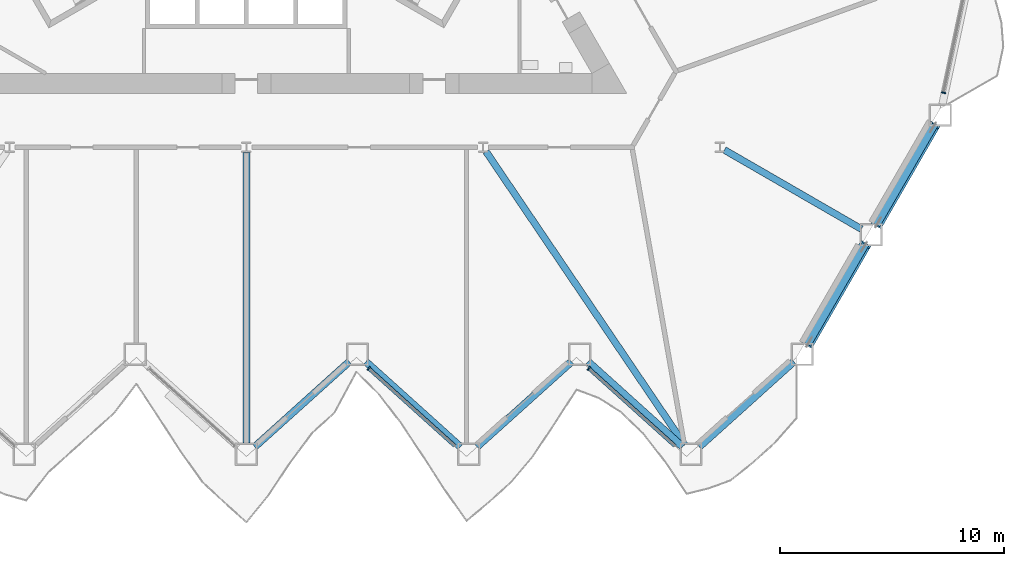
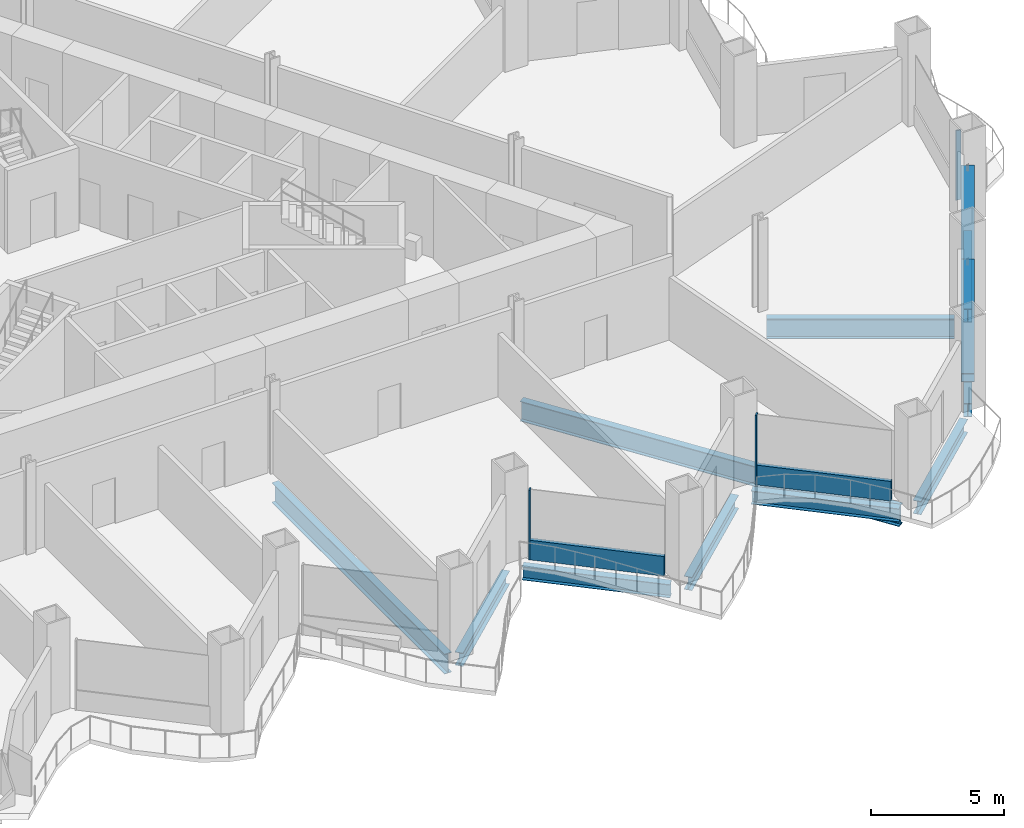
# One storey, part 4 of 21: 10 beams, 7 members, 3 elements without a shape of their own.
"""IFC4 building model written with IfcOpenShell, lengths in metres."""

from ifc_helpers import new_model, si_unit, direction, frame, origin, origin_2d, place, context, subcontext, project, spatial, rectangle, hollow_rectangle, i_section, extrude, material, layer, layer_set, material_profile, profile_set, type_object, element, aggregate, save


model = new_model("IFC4")

# Units and contexts
model_context = context("Model", 3, precision=1e-05, world=origin(), true_north=direction((0.0, 1.0)))
body_context = subcontext(model_context, "Body", "Model", "MODEL_VIEW")
ifc_project = project(units=[si_unit("LENGTHUNIT", "METRE"), si_unit("AREAUNIT", "SQUARE_METRE"), si_unit("VOLUMEUNIT", "CUBIC_METRE"), si_unit("PLANEANGLEUNIT", "RADIAN"), si_unit("MASSUNIT", "GRAM", prefix="KILO")], contexts=[model_context])

# Site, building, storey
site_placement = place(None, origin())
site = spatial("IfcSite", under=ifc_project, at=site_placement, CompositionType="ELEMENT")
building_placement = place(site_placement, origin())
building = spatial("IfcBuilding", under=site, at=building_placement, Name="Cormorant Prow Tower", CompositionType="ELEMENT")
storey_placement = place(building_placement, frame((0.0, 0.0, 72.0)))
storey = spatial("IfcBuildingStorey", under=building, at=storey_placement, Name="L15", CompositionType="ELEMENT", Elevation=72.0)

# Members
ifc_material_1 = material(Name="Structural steel ASTM A500 Gr C", Category="steel")
ifc_material_profile_1 = material_profile(ifc_material_1, hollow_rectangle(XDim=0.508056640625, YDim=0.508056640625, WallThickness=0.014892578125, at=origin_2d()), Name="HSS20x20x5/8")
ifc_profile_set_1 = profile_set([ifc_material_profile_1], Name="Structural steel ASTM A500 Gr C")
member_type_1 = type_object("IfcMemberType", Name="Chamfer brace HSS20x20x5/8", PredefinedType="BRACE", material=ifc_profile_set_1)
for number, where, z_axis, x_axis, name in (
    (1, (25.089599609375, -21.0107421875, 0.767333984375), (0.475899695849, 0.824255918841, 0.306792535351), (-0.866018434186, 0.500012071504, 0.0), "Chamfer brace BR1 at ESE00 L15"),
    (2, (28.174560546875, -15.667724609375, 0.767333984375), (0.475881936113, 0.824270433724, 0.306781086395), (-0.866030326616, 0.499991473309, 0.0), "Chamfer brace BR1 at ESE01 L15"),
):
    element("IfcMember", number, at=place(storey_placement, frame(where, z_axis=z_axis, x_axis=x_axis)), inside=storey, type_object=member_type_1, Name=name, PredefinedType="BRACE", context=body_context, shape_type="SweptSolid", body=[
        extrude(hollow_rectangle(XDim=0.508056640625, YDim=0.508056640625, WallThickness=0.014892578125, at=origin_2d()), origin(), (0.0, 0.0, 1.0), 5.392333984375),
    ])

# Curtain wall, member
ifc_material_2 = material(Name="Aluminium 6063-T6", Category="aluminium")
ifc_layer = layer(ifc_material_2, 0.199951171875)
ifc_layer_set = layer_set([ifc_layer], Name="Aluminium 6063-T6")
curtain_wall_type = type_object("IfcCurtainWallType", Name="Office unitised curtain wall 200", PredefinedType="NOTDEFINED", material=ifc_layer_set)
curtain_wall_1_placement = place(storey_placement, origin())
curtain_wall_1 = element("IfcCurtainWall", 3, at=curtain_wall_1_placement, inside=storey, type_object=curtain_wall_type, Name="Office curtain wall S06", PredefinedType="NOTDEFINED")
ifc_material_3 = material(Name="Aluminium 6063-T6", Category="aluminium")
ifc_material_profile_2 = material_profile(ifc_material_3, rectangle(XDim=0.199951171875, YDim=0.06005859375, at=origin_2d()), Name="Office mullion 60x200")
ifc_profile_set_2 = profile_set([ifc_material_profile_2], Name="Aluminium 6063-T6")
member_type_2 = type_object("IfcMemberType", Name="Office mullion 60x200", PredefinedType="MULLION", material=ifc_profile_set_2)
member_1_placement = place(storey_placement, frame((5.461669921875, -22.092041015625, 0.0), z_axis=(0.0, 0.0, 1.0), x_axis=(0.669130614945, 0.743144817746, 0.0)))
member_1 = element("IfcMember", 4, at=member_1_placement, type_object=member_type_2, Name="Office mullion S06", PredefinedType="MULLION", context=body_context, shape_type="SweptSolid", body=[
    extrude(rectangle(XDim=0.199951171875, YDim=0.06005859375, at=origin_2d()), origin(), (0.0, 0.0, 1.0), 3.18896484375),
])

curtain_wall_2_placement = place(storey_placement, origin())
curtain_wall_2 = element("IfcCurtainWall", 5, at=curtain_wall_2_placement, inside=storey, type_object=curtain_wall_type, Name="Office curtain wall S08", PredefinedType="NOTDEFINED")
member_2_placement = place(storey_placement, frame((15.2958984375, -22.092041015625, 0.0), z_axis=(0.0, 0.0, 1.0), x_axis=(0.669130614945, 0.743144817746, 0.0)))
member_2 = element("IfcMember", 6, at=member_2_placement, type_object=member_type_2, Name="Office mullion S08", PredefinedType="MULLION", context=body_context, shape_type="SweptSolid", body=[
    extrude(rectangle(XDim=0.199951171875, YDim=0.06005859375, at=origin_2d()), origin(), (0.0, 0.0, 1.0), 3.18896484375),
])

curtain_wall_3_placement = place(storey_placement, origin())
curtain_wall_3 = element("IfcCurtainWall", 7, at=curtain_wall_3_placement, inside=storey, type_object=curtain_wall_type, Name="Office curtain wall ENE00", PredefinedType="NOTDEFINED")
member_3_placement = place(storey_placement, frame((31.15234375, -9.773681640625, 0.0), z_axis=(0.0, 0.0, 1.0), x_axis=(-0.978147586919, 0.20791175581, 0.0)))
member_3 = element("IfcMember", 8, at=member_3_placement, type_object=member_type_2, Name="Office mullion ENE00", PredefinedType="MULLION", context=body_context, shape_type="SweptSolid", body=[
    extrude(rectangle(XDim=0.199951171875, YDim=0.06005859375, at=origin_2d()), origin(), (0.0, 0.0, 1.0), 3.18896484375),
])
aggregate(curtain_wall_3, [member_3])

# Member
ifc_material_4 = material(Name="Terracotta", Category="masonry")
ifc_material_profile_3 = material_profile(ifc_material_4, rectangle(XDim=0.159912109375, YDim=0.89990234375, at=origin_2d()), Name="Office terracotta spandrel rail 160x900")
ifc_profile_set_3 = profile_set([ifc_material_profile_3], Name="Terracotta")
member_type_3 = type_object("IfcMemberType", Name="Office terracotta spandrel rail 160x900", PredefinedType="USERDEFINED", material=ifc_profile_set_3)
member_4_placement = place(storey_placement, frame((5.484130859375, -22.112060546875, 0.449951171875), z_axis=(0.743136202967, -0.669140182502, 0.0), x_axis=(0.669140182502, 0.743136202967, 0.0)))
member_4 = element("IfcMember", 9, at=member_4_placement, type_object=member_type_3, Name="Office spandrel rail S06", ObjectType="TRANSOM", PredefinedType="USERDEFINED", context=body_context, shape_type="SweptSolid", body=[
    extrude(rectangle(XDim=0.159912109375, YDim=0.89990234375, at=origin_2d()), origin(), (0.0, 0.0, 1.0), 5.150390625),
])

aggregate(curtain_wall_1, [member_1, member_4])

member_5_placement = place(storey_placement, frame((15.318115234375, -22.112060546875, 0.449951171875), z_axis=(0.743157426454, -0.669116611291, 0.0), x_axis=(0.669116611291, 0.743157426454, 0.0)))
member_5 = element("IfcMember", 10, at=member_5_placement, type_object=member_type_3, Name="Office spandrel rail S08", ObjectType="TRANSOM", PredefinedType="USERDEFINED", context=body_context, shape_type="SweptSolid", body=[
    extrude(rectangle(XDim=0.159912109375, YDim=0.89990234375, at=origin_2d()), origin(), (0.0, 0.0, 1.0), 5.150390625),
])

aggregate(curtain_wall_2, [member_2, member_5])

# Beams
ifc_material_5 = material(Name="Structural steel ASTM A992 Gr 50", Category="steel")
ifc_material_profile_4 = material_profile(ifc_material_5, i_section(OverallWidth=0.3046875, OverallDepth=0.914794921875, WebThickness=0.0166015625, FlangeThickness=0.02587890625, at=origin_2d()), Name="W36x160")
ifc_profile_set_4 = profile_set([ifc_material_profile_4], Name="Structural steel ASTM A992 Gr 50")
beam_type_1 = type_object("IfcBeamType", Name="Radial floor beam W36x160", PredefinedType="BEAM", material=ifc_profile_set_4)
beam_1_placement = place(storey_placement, frame((0.0, -12.447265625, -0.857421875), z_axis=(0.0, -1.0, 0.0), x_axis=(1.0, 0.0, 0.0)))
element("IfcBeam", 11, at=beam_1_placement, inside=storey, type_object=beam_type_1, Name="Radial floor beam FB1 7 L15", PredefinedType="BEAM", context=body_context, shape_type="SweptSolid", body=[
    extrude(i_section(OverallWidth=0.3046875, OverallDepth=0.914794921875, WebThickness=0.0166015625, FlangeThickness=0.02587890625, at=origin_2d()), origin(), (0.0, 0.0, 1.0), 12.984130859375),
])
beam_2_placement = place(storey_placement, frame((10.708740234375, -12.4072265625, -0.857421875), z_axis=(0.560597160775, -0.828088656685, 0.0), x_axis=(0.828088656685, 0.560597160775, 0.0)))
element("IfcBeam", 12, at=beam_2_placement, inside=storey, type_object=beam_type_1, Name="Radial floor beam FB1 8 L15", PredefinedType="BEAM", context=body_context, shape_type="SweptSolid", body=[
    extrude(i_section(OverallWidth=0.3046875, OverallDepth=0.914794921875, WebThickness=0.0166015625, FlangeThickness=0.02587890625, at=origin_2d()), origin(), (0.0, 0.0, 1.0), 15.831787109375),
])
beam_3_placement = place(storey_placement, frame((21.358154296875, -12.3310546875, -0.857421875), z_axis=(0.866014253463, -0.500019312426, 0.0), x_axis=(0.500019312426, 0.866014253463, 0.0)))
element("IfcBeam", 13, at=beam_3_placement, inside=storey, type_object=beam_type_1, Name="Radial floor beam FB1 9 L15", PredefinedType="BEAM", context=body_context, shape_type="SweptSolid", body=[
    extrude(i_section(OverallWidth=0.3046875, OverallDepth=0.914794921875, WebThickness=0.0166015625, FlangeThickness=0.02587890625, at=origin_2d()), origin(), (0.0, 0.0, 1.0), 7.071533203125),
])
ifc_material_6 = material(Name="Structural steel ASTM A992 Gr 50", Category="steel")
ifc_material_profile_5 = material_profile(ifc_material_6, i_section(OverallWidth=0.32373046875, OverallDepth=0.611083984375, WebThickness=0.0126953125, FlangeThickness=0.01904296875, at=origin_2d()), Name="W24x104")
ifc_profile_set_5 = profile_set([ifc_material_profile_5], Name="Structural steel ASTM A992 Gr 50")
beam_type_2 = type_object("IfcBeamType", Name="Spandrel beam W24x104", PredefinedType="SPANDREL", material=ifc_profile_set_5)
for number, where, z_axis, x_axis, name in (
    (14, (0.37158203125, -25.596923828125, -0.70556640625), (0.743129630386, 0.669147481833, 0.0), (-0.669147481833, 0.743129630386, 0.0), "Spandrel beam SB1 S05-S06 L15"),
    (15, (5.337646484375, -21.79443359375, -0.70556640625), (0.743129630386, -0.669147481833, 0.0), (0.669147481833, 0.743129630386, 0.0), "Spandrel beam SB1 S06-S07 L15"),
    (16, (10.3037109375, -25.596923828125, -0.70556640625), (0.743129630386, 0.669147481833, 0.0), (-0.669147481833, 0.743129630386, 0.0), "Spandrel beam SB1 S07-S08 L15"),
    (17, (15.269775390625, -21.79443359375, -0.70556640625), (0.743129630386, -0.669147481833, 0.0), (0.669147481833, 0.743129630386, 0.0), "Spandrel beam SB1 S08-S09 L15"),
    (18, (20.23583984375, -25.596923828125, -0.70556640625), (0.743129630386, 0.669147481833, 0.0), (-0.669147481833, 0.743129630386, 0.0), "Spandrel beam SB1 S09-ESE00 L15"),
):
    element("IfcBeam", number, at=place(storey_placement, frame(where, z_axis=z_axis, x_axis=x_axis)), inside=storey, type_object=beam_type_2, Name=name, PredefinedType="SPANDREL", context=body_context, shape_type="SweptSolid", body=[
        extrude(i_section(OverallWidth=0.32373046875, OverallDepth=0.611083984375, WebThickness=0.0126953125, FlangeThickness=0.01904296875, at=origin_2d()), origin(), (0.0, 0.0, 1.0), 5.6826171875),
    ])
for number, where, z_axis, x_axis, name in (
    (19, (25.080322265625, -21.02685546875, -0.70556640625), (0.500019507279, 0.866014140959, 0.0), (-0.866014140959, 0.500019507279, 0.0), "Spandrel beam SB1 ESE00-ESE01 L15"),
    (20, (28.165283203125, -15.683837890625, -0.70556640625), (0.49998408811, 0.866034590324, 0.0), (-0.866034590324, 0.49998408811, 0.0), "Spandrel beam SB1 ESE01-ENE00 L15"),
):
    element("IfcBeam", number, at=place(storey_placement, frame(where, z_axis=z_axis, x_axis=x_axis)), inside=storey, type_object=beam_type_2, Name=name, PredefinedType="SPANDREL", context=body_context, shape_type="SweptSolid", body=[
        extrude(i_section(OverallWidth=0.32373046875, OverallDepth=0.611083984375, WebThickness=0.0126953125, FlangeThickness=0.01904296875, at=origin_2d()), origin(), (0.0, 0.0, 1.0), 5.169677734375),
    ])

save(model, "model.ifc")
